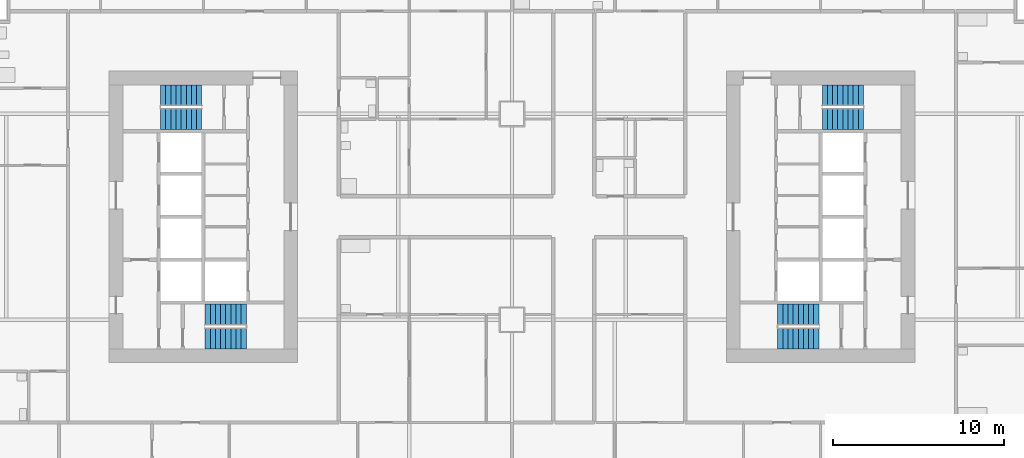
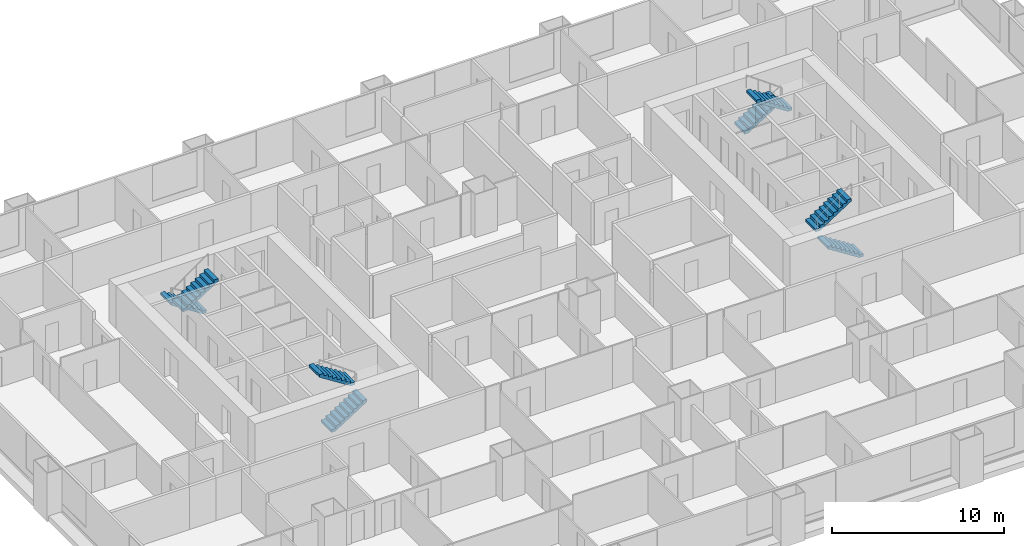
# One storey, part 11 of 13: 8 stair flights, 4 elements without a shape of their own.
"""IFC4 building model written with IfcOpenShell, lengths in metres."""

import ifcopenshell
import ifcopenshell.guid

model = None  # the IFC model being written
_history = None  # IfcOwnerHistory: only IFC2X3 demands one
_inside = {}  # id of a spatial element -> (the spatial element, [elements in it])
_under = {}  # id of a project, library or spatial element -> (it, [spatial elements below it])
_declared = {}  # id of a project -> (the project, [libraries it declares])
_typed = {}  # id of a type object -> (the type object, [elements of that type])
_made_of = {}  # id of a material, layer set ... -> (it, [elements and type objects made of it])


def new_model(schema):
    """Start an empty IFC model of exactly this schema.

    Asked for "IFC4X3", IfcOpenShell would pick the latest addendum, in which some entities
    have other attributes; the version numbers below select the first issue.
    IFC2X3 requires an IfcOwnerHistory on every rooted entity: one is made here for all.
    """
    global model, _history
    if schema == "IFC4X3":
        model = ifcopenshell.file(schema_version=(4, 3, 0, 0))
    else:
        model = ifcopenshell.file(schema=schema)
    _inside.clear()
    _under.clear()
    _declared.clear()
    _typed.clear()
    _made_of.clear()
    _history = None
    if model.schema == "IFC2X3":
        org = make("IfcOrganization", Name="unknown")
        user = make(
            "IfcPersonAndOrganization",
            ThePerson=make("IfcPerson", FamilyName="unknown"),
            TheOrganization=org,
        )
        app = make(
            "IfcApplication",
            ApplicationDeveloper=org,
            Version="unknown",
            ApplicationFullName="unknown",
            ApplicationIdentifier="unknown",
        )
        _history = make(
            "IfcOwnerHistory",
            OwningUser=user,
            OwningApplication=app,
            ChangeAction="ADDED",
            CreationDate=0,
        )
    return model


def make(cls, **values):
    """One entity of the class cls with the attributes given. An attribute that is None is left unset."""
    return model.create_entity(
        cls, **{name: value for name, value in values.items() if value is not None}
    )


def rooted(cls, **values):
    """An entity with a GlobalId (a new one), such as an element, a storey or a relation."""
    return make(cls, GlobalId=ifcopenshell.guid.new(), OwnerHistory=_history, **values)


def si_unit(unit_type, name, prefix=None):
    """IfcSIUnit, for example si_unit("LENGTHUNIT", "METRE", prefix="MILLI")."""
    return make("IfcSIUnit", UnitType=unit_type, Prefix=prefix, Name=name)


def assignment(units):
    """IfcUnitAssignment: the units of a project."""
    return None if units is None else make("IfcUnitAssignment", Units=units)


def point(xyz):
    """IfcCartesianPoint."""
    return None if xyz is None else make("IfcCartesianPoint", Coordinates=xyz)


def direction(xyz):
    """IfcDirection."""
    return None if xyz is None else make("IfcDirection", DirectionRatios=xyz)


def frame(location, z_axis=None, x_axis=None):
    """IfcAxis2Placement3D, a coordinate frame: its origin and axes. An axis left out is left unset."""
    return make(
        "IfcAxis2Placement3D",
        Location=point(location),
        Axis=direction(z_axis),
        RefDirection=direction(x_axis),
    )


def origin():
    """The frame at (0, 0, 0) with its axes left unset."""
    return frame((0.0, 0.0, 0.0))


def place(relative_to, where):
    """IfcLocalPlacement: puts the frame where relative to a parent placement (None: the world)."""
    return make(
        "IfcLocalPlacement", PlacementRelTo=relative_to, RelativePlacement=where
    )


def context(
    kind, dimensions, precision=None, world=None, true_north=None, identifier=None
):
    """IfcGeometricRepresentationContext, for example the 3D "Model" context."""
    return make(
        "IfcGeometricRepresentationContext",
        ContextIdentifier=identifier,
        ContextType=kind,
        CoordinateSpaceDimension=dimensions,
        Precision=precision,
        WorldCoordinateSystem=world,
        TrueNorth=true_north,
    )


def subcontext(parent, identifier, kind, view, scale=None):
    """IfcGeometricRepresentationSubContext, for example "Body" below "Model"."""
    return make(
        "IfcGeometricRepresentationSubContext",
        ContextIdentifier=identifier,
        ContextType=kind,
        ParentContext=parent,
        TargetScale=scale,
        TargetView=view,
    )


def project(units=None, contexts=None):
    """IfcProject with its units and contexts."""
    return rooted(
        "IfcProject",
        Name="project",
        RepresentationContexts=contexts,
        UnitsInContext=assignment(units),
    )


def spatial(cls, under=None, at=None, **own):
    """A site, building, storey or space (cls), placed at a placement, below another one or the project."""
    s = rooted(cls, ObjectPlacement=at, **own)
    if under is not None:
        _under.setdefault(under.id(), (under, []))[1].append(s)
    return s


def polyline(points):
    """IfcPolyline through the points."""
    return make("IfcPolyline", Points=[point(p) for p in points])


def outline(outer, holes=None, kind="AREA"):
    """IfcArbitraryClosedProfileDef: a profile drawn as a closed curve; with holes, ...WithVoids."""
    if holes is None:
        return make("IfcArbitraryClosedProfileDef", ProfileType=kind, OuterCurve=outer)
    return make(
        "IfcArbitraryProfileDefWithVoids",
        ProfileType=kind,
        OuterCurve=outer,
        InnerCurves=holes,
    )


def extrude(swept, where, along, depth):
    """IfcExtrudedAreaSolid: the profile swept, set in the frame where, extruded along a direction by depth."""
    return make(
        "IfcExtrudedAreaSolid",
        SweptArea=swept,
        Position=where,
        ExtrudedDirection=direction(along),
        Depth=depth,
    )


def shape(context_of_items, identifier, shape_type, items):
    """IfcShapeRepresentation: the items that make up one representation, for example the "Body"."""
    return make(
        "IfcShapeRepresentation",
        ContextOfItems=context_of_items,
        RepresentationIdentifier=identifier,
        RepresentationType=shape_type,
        Items=items,
    )


def material(Name=None, Category=None):
    """IfcMaterial."""
    return make("IfcMaterial", Name=Name, Category=Category)


def made_of(thing, what):
    """Note that an element or type object is made of a material, layer set ...; save() writes the relation."""
    if what is not None:
        _made_of.setdefault(what.id(), (what, []))[1].append(thing)
    return thing


def type_object(cls, material=None, **own):
    """A type object (cls), such as IfcWallType, which elements share."""
    return made_of(rooted(cls, **own), material)


def element(
    cls,
    number,
    at=None,
    inside=None,
    cuts=None,
    type_object=None,
    material=None,
    context=None,
    identifier="Body",
    shape_type=None,
    held_by="IfcProductDefinitionShape",
    body=None,
    shapes=None,
    **own,
):
    """One element of the class cls, such as IfcWall. Its Tag is "e" and its number.

    at: its placement. inside: the storey or other place that contains it. cuts: it is an
    opening in that element (IfcRelVoidsElement). A single representation is given by context,
    identifier, shape_type and body (its items); several are given by shapes. held_by: the class
    of the entity that holds the representations. save() writes the other relations.
    """
    e = rooted(cls, Tag="e%d" % number, ObjectPlacement=at, **own)
    if body is not None:
        shapes = [shape(context, identifier, shape_type, body)]
    if shapes is not None:
        e.Representation = make(held_by, Representations=shapes)
    if inside is not None:
        _inside.setdefault(inside.id(), (inside, []))[1].append(e)
    if cuts is not None:
        rooted(
            "IfcRelVoidsElement", RelatingBuildingElement=cuts, RelatedOpeningElement=e
        )
    if type_object is not None:
        _typed.setdefault(type_object.id(), (type_object, []))[1].append(e)
    return made_of(e, material)


def aggregate(whole, parts):
    """IfcRelAggregates: a whole, such as a stair, and the parts it consists of."""
    return rooted("IfcRelAggregates", RelatingObject=whole, RelatedObjects=parts)


def save(model, path):
    """Write the relations noted so far, then the file.

    IfcRelAggregates (storeys below a building ...), IfcRelContainedInSpatialStructure (elements
    in a storey), IfcRelDefinesByType, IfcRelAssociatesMaterial and IfcRelDeclares: one each for
    every whole, place, type object, material and project.
    """
    for whole, parts in _under.values():
        aggregate(whole, parts)
    for where, things in _inside.values():
        rooted(
            "IfcRelContainedInSpatialStructure",
            RelatedElements=things,
            RelatingStructure=where,
        )
    for kind, things in _typed.values():
        rooted("IfcRelDefinesByType", RelatedObjects=things, RelatingType=kind)
    for what, things in _made_of.values():
        rooted("IfcRelAssociatesMaterial", RelatedObjects=things, RelatingMaterial=what)
    for by, libraries in _declared.values():
        rooted("IfcRelDeclares", RelatingContext=by, RelatedDefinitions=libraries)
    model.write(path)


model = new_model("IFC4")

# Units and contexts
model_context = context("Model", 3, precision=1e-05, world=origin(), true_north=direction((0.0, 1.0)))
body_context = subcontext(model_context, "Body", "Model", "MODEL_VIEW")
ifc_project = project(units=[si_unit("LENGTHUNIT", "METRE"), si_unit("AREAUNIT", "SQUARE_METRE"), si_unit("VOLUMEUNIT", "CUBIC_METRE"), si_unit("PLANEANGLEUNIT", "RADIAN"), si_unit("MASSUNIT", "GRAM", prefix="KILO")], contexts=[model_context])

# Site, building, storey
site_placement = place(None, origin())
site = spatial("IfcSite", under=ifc_project, at=site_placement, CompositionType="ELEMENT")
building_placement = place(site_placement, origin())
building = spatial("IfcBuilding", under=site, at=building_placement, Name="Kitamizu Gate Tower and Museum", CompositionType="ELEMENT")
storey_placement = place(building_placement, frame((0.0, 0.0, 81.75)))
storey = spatial("IfcBuildingStorey", under=building, at=storey_placement, Name="L20", CompositionType="ELEMENT", Elevation=81.75)

# Stair, stair flights
ifc_material_1 = material(Name="Concrete Fc42", Category="concrete")
stair_type = type_object("IfcStairType", Name="Exit stair 1200 wide 192 rise 300 going", PredefinedType="HALF_TURN_STAIR", material=ifc_material_1)
stair_1_placement = place(storey_placement, origin())
stair_1 = element("IfcStair", 1, at=stair_1_placement, inside=storey, type_object=stair_type, Name="Exit stair ST1", PredefinedType="HALF_TURN_STAIR")
ifc_material_2 = material(Name="Concrete Fc42", Category="concrete")
stair_flight_type = type_object("IfcStairFlightType", Name="Stair flight 1200 wide 192 rise 300 going", PredefinedType="STRAIGHT", material=ifc_material_2)
stair_flight_1_placement = place(storey_placement, frame((18.10009765625, 22.89990234375, 0.0), z_axis=(0.0, 0.0, 1.0), x_axis=(1.0, 0.0, 0.0)))
stair_flight_1 = element("IfcStairFlight", 2, at=stair_flight_1_placement, type_object=stair_flight_type, Name="ST1 flight 1", NumberOfRisers=9, NumberOfTreads=8, PredefinedType="STRAIGHT", RiserHeight=0.191666667, TreadLength=0.3, context=body_context, shape_type="SweptSolid", body=[
    extrude(outline(polyline([(0.0, 0.0), (0.0, 0.191650390625), (0.300048828125, 0.191650390625), (0.300048828125, 0.38330078125), (0.60009765625, 0.38330078125), (0.60009765625, 0.574951171875), (0.89990234375, 0.574951171875), (0.89990234375, 0.7666015625), (1.199951171875, 0.7666015625), (1.199951171875, 0.958251953125), (1.5, 0.958251953125), (1.5, 1.14990234375), (1.800048828125, 1.14990234375), (1.800048828125, 1.341552734375), (2.10009765625, 1.341552734375), (2.10009765625, 1.533447265625), (2.39990234375, 1.533447265625), (2.39990234375, 1.72509765625), (2.39990234375, 1.35546875), (0.2783203125, 0.0), (0.0, 0.0)])), frame((0.0, 0.60009765625, 0.0), z_axis=(0.0, -1.0, 0.0), x_axis=(1.0, 0.0, 0.0)), (0.0, 0.0, 1.0), 1.199951171875),
])
stair_flight_2_placement = place(storey_placement, frame((20.5, 24.300048828125, 1.72509765625), z_axis=(0.0, 0.0, 1.0), x_axis=(-1.0, 0.0, 0.0)))
stair_flight_2 = element("IfcStairFlight", 3, at=stair_flight_2_placement, type_object=stair_flight_type, Name="ST1 flight 2", NumberOfRisers=9, NumberOfTreads=8, PredefinedType="STRAIGHT", RiserHeight=0.191666667, TreadLength=0.3, context=body_context, shape_type="SweptSolid", body=[
    extrude(outline(polyline([(0.0, 0.0), (0.0, 0.191650390625), (0.300048828125, 0.191650390625), (0.300048828125, 0.38330078125), (0.60009765625, 0.38330078125), (0.60009765625, 0.574951171875), (0.89990234375, 0.574951171875), (0.89990234375, 0.7666015625), (1.199951171875, 0.7666015625), (1.199951171875, 0.958251953125), (1.5, 0.958251953125), (1.5, 1.14990234375), (1.800048828125, 1.14990234375), (1.800048828125, 1.341552734375), (2.10009765625, 1.341552734375), (2.10009765625, 1.533447265625), (2.39990234375, 1.533447265625), (2.39990234375, 1.72509765625), (2.39990234375, 1.35546875), (0.2783203125, 0.0), (0.0, 0.0)])), frame((0.0, 0.60009765625, 0.0), z_axis=(0.0, -1.0, 0.0), x_axis=(1.0, 0.0, 0.0)), (0.0, 0.0, 1.0), 1.199951171875),
])
aggregate(stair_1, [stair_flight_1, stair_flight_2])

stair_2_placement = place(storey_placement, origin())
stair_2 = element("IfcStair", 4, at=stair_2_placement, inside=storey, type_object=stair_type, Name="Exit stair ST2", PredefinedType="HALF_TURN_STAIR")
stair_flight_3_placement = place(storey_placement, frame((17.89990234375, 37.10009765625, 0.0), z_axis=(0.0, 0.0, 1.0), x_axis=(-1.0, 0.0, 0.0)))
stair_flight_3 = element("IfcStairFlight", 5, at=stair_flight_3_placement, type_object=stair_flight_type, Name="ST2 flight 1", NumberOfRisers=9, NumberOfTreads=8, PredefinedType="STRAIGHT", RiserHeight=0.191666667, TreadLength=0.3, context=body_context, shape_type="SweptSolid", body=[
    extrude(outline(polyline([(0.0, 0.0), (0.0, 0.191650390625), (0.300048828125, 0.191650390625), (0.300048828125, 0.38330078125), (0.60009765625, 0.38330078125), (0.60009765625, 0.574951171875), (0.89990234375, 0.574951171875), (0.89990234375, 0.7666015625), (1.199951171875, 0.7666015625), (1.199951171875, 0.958251953125), (1.5, 0.958251953125), (1.5, 1.14990234375), (1.800048828125, 1.14990234375), (1.800048828125, 1.341552734375), (2.10009765625, 1.341552734375), (2.10009765625, 1.533447265625), (2.39990234375, 1.533447265625), (2.39990234375, 1.72509765625), (2.39990234375, 1.35546875), (0.2783203125, 0.0), (0.0, 0.0)])), frame((0.0, 0.60009765625, 0.0), z_axis=(0.0, -1.0, 0.0), x_axis=(1.0, 0.0, 0.0)), (0.0, 0.0, 1.0), 1.199951171875),
])
stair_flight_4_placement = place(storey_placement, frame((15.5, 35.699951171875, 1.72509765625), z_axis=(0.0, 0.0, 1.0), x_axis=(1.0, 0.0, 0.0)))
stair_flight_4 = element("IfcStairFlight", 6, at=stair_flight_4_placement, type_object=stair_flight_type, Name="ST2 flight 2", NumberOfRisers=9, NumberOfTreads=8, PredefinedType="STRAIGHT", RiserHeight=0.191666667, TreadLength=0.3, context=body_context, shape_type="SweptSolid", body=[
    extrude(outline(polyline([(0.0, 0.0), (0.0, 0.191650390625), (0.300048828125, 0.191650390625), (0.300048828125, 0.38330078125), (0.60009765625, 0.38330078125), (0.60009765625, 0.574951171875), (0.89990234375, 0.574951171875), (0.89990234375, 0.7666015625), (1.199951171875, 0.7666015625), (1.199951171875, 0.958251953125), (1.5, 0.958251953125), (1.5, 1.14990234375), (1.800048828125, 1.14990234375), (1.800048828125, 1.341552734375), (2.10009765625, 1.341552734375), (2.10009765625, 1.533447265625), (2.39990234375, 1.533447265625), (2.39990234375, 1.72509765625), (2.39990234375, 1.35546875), (0.2783203125, 0.0), (0.0, 0.0)])), frame((0.0, 0.60009765625, 0.0), z_axis=(0.0, -1.0, 0.0), x_axis=(1.0, 0.0, 0.0)), (0.0, 0.0, 1.0), 1.199951171875),
])
aggregate(stair_2, [stair_flight_3, stair_flight_4])

stair_3_placement = place(storey_placement, origin())
stair_3 = element("IfcStair", 7, at=stair_3_placement, inside=storey, type_object=stair_type, Name="Exit stair ST3", PredefinedType="HALF_TURN_STAIR")
stair_flight_5_placement = place(storey_placement, frame((53.89990234375, 22.89990234375, 0.0), z_axis=(0.0, 0.0, 1.0), x_axis=(-1.0, 0.0, 0.0)))
stair_flight_5 = element("IfcStairFlight", 8, at=stair_flight_5_placement, type_object=stair_flight_type, Name="ST3 flight 1", NumberOfRisers=9, NumberOfTreads=8, PredefinedType="STRAIGHT", RiserHeight=0.191666667, TreadLength=0.3, context=body_context, shape_type="SweptSolid", body=[
    extrude(outline(polyline([(0.0, 0.0), (0.0, 0.191650390625), (0.300048828125, 0.191650390625), (0.300048828125, 0.38330078125), (0.60009765625, 0.38330078125), (0.60009765625, 0.574951171875), (0.89990234375, 0.574951171875), (0.89990234375, 0.7666015625), (1.199951171875, 0.7666015625), (1.199951171875, 0.958251953125), (1.5, 0.958251953125), (1.5, 1.14990234375), (1.800048828125, 1.14990234375), (1.800048828125, 1.341552734375), (2.10009765625, 1.341552734375), (2.10009765625, 1.533447265625), (2.39990234375, 1.533447265625), (2.39990234375, 1.72509765625), (2.39990234375, 1.35546875), (0.2783203125, 0.0), (0.0, 0.0)])), frame((0.0, 0.60009765625, 0.0), z_axis=(0.0, -1.0, 0.0), x_axis=(1.0, 0.0, 0.0)), (0.0, 0.0, 1.0), 1.199951171875),
])
stair_flight_6_placement = place(storey_placement, frame((51.5, 24.300048828125, 1.72509765625), z_axis=(0.0, 0.0, 1.0), x_axis=(1.0, 0.0, 0.0)))
stair_flight_6 = element("IfcStairFlight", 9, at=stair_flight_6_placement, type_object=stair_flight_type, Name="ST3 flight 2", NumberOfRisers=9, NumberOfTreads=8, PredefinedType="STRAIGHT", RiserHeight=0.191666667, TreadLength=0.3, context=body_context, shape_type="SweptSolid", body=[
    extrude(outline(polyline([(0.0, 0.0), (0.0, 0.191650390625), (0.300048828125, 0.191650390625), (0.300048828125, 0.38330078125), (0.60009765625, 0.38330078125), (0.60009765625, 0.574951171875), (0.89990234375, 0.574951171875), (0.89990234375, 0.7666015625), (1.199951171875, 0.7666015625), (1.199951171875, 0.958251953125), (1.5, 0.958251953125), (1.5, 1.14990234375), (1.800048828125, 1.14990234375), (1.800048828125, 1.341552734375), (2.10009765625, 1.341552734375), (2.10009765625, 1.533447265625), (2.39990234375, 1.533447265625), (2.39990234375, 1.72509765625), (2.39990234375, 1.35546875), (0.2783203125, 0.0), (0.0, 0.0)])), frame((0.0, 0.60009765625, 0.0), z_axis=(0.0, -1.0, 0.0), x_axis=(1.0, 0.0, 0.0)), (0.0, 0.0, 1.0), 1.199951171875),
])
aggregate(stair_3, [stair_flight_5, stair_flight_6])

stair_4_placement = place(storey_placement, origin())
stair_4 = element("IfcStair", 10, at=stair_4_placement, inside=storey, type_object=stair_type, Name="Exit stair ST4", PredefinedType="HALF_TURN_STAIR")
stair_flight_7_placement = place(storey_placement, frame((54.10009765625, 37.10009765625, 0.0), z_axis=(0.0, 0.0, 1.0), x_axis=(1.0, 0.0, 0.0)))
stair_flight_7 = element("IfcStairFlight", 11, at=stair_flight_7_placement, type_object=stair_flight_type, Name="ST4 flight 1", NumberOfRisers=9, NumberOfTreads=8, PredefinedType="STRAIGHT", RiserHeight=0.191666667, TreadLength=0.3, context=body_context, shape_type="SweptSolid", body=[
    extrude(outline(polyline([(0.0, 0.0), (0.0, 0.191650390625), (0.300048828125, 0.191650390625), (0.300048828125, 0.38330078125), (0.60009765625, 0.38330078125), (0.60009765625, 0.574951171875), (0.89990234375, 0.574951171875), (0.89990234375, 0.7666015625), (1.199951171875, 0.7666015625), (1.199951171875, 0.958251953125), (1.5, 0.958251953125), (1.5, 1.14990234375), (1.800048828125, 1.14990234375), (1.800048828125, 1.341552734375), (2.10009765625, 1.341552734375), (2.10009765625, 1.533447265625), (2.39990234375, 1.533447265625), (2.39990234375, 1.72509765625), (2.39990234375, 1.35546875), (0.2783203125, 0.0), (0.0, 0.0)])), frame((0.0, 0.60009765625, 0.0), z_axis=(0.0, -1.0, 0.0), x_axis=(1.0, 0.0, 0.0)), (0.0, 0.0, 1.0), 1.199951171875),
])
stair_flight_8_placement = place(storey_placement, frame((56.5, 35.699951171875, 1.72509765625), z_axis=(0.0, 0.0, 1.0), x_axis=(-1.0, 0.0, 0.0)))
stair_flight_8 = element("IfcStairFlight", 12, at=stair_flight_8_placement, type_object=stair_flight_type, Name="ST4 flight 2", NumberOfRisers=9, NumberOfTreads=8, PredefinedType="STRAIGHT", RiserHeight=0.191666667, TreadLength=0.3, context=body_context, shape_type="SweptSolid", body=[
    extrude(outline(polyline([(0.0, 0.0), (0.0, 0.191650390625), (0.300048828125, 0.191650390625), (0.300048828125, 0.38330078125), (0.60009765625, 0.38330078125), (0.60009765625, 0.574951171875), (0.89990234375, 0.574951171875), (0.89990234375, 0.7666015625), (1.199951171875, 0.7666015625), (1.199951171875, 0.958251953125), (1.5, 0.958251953125), (1.5, 1.14990234375), (1.800048828125, 1.14990234375), (1.800048828125, 1.341552734375), (2.10009765625, 1.341552734375), (2.10009765625, 1.533447265625), (2.39990234375, 1.533447265625), (2.39990234375, 1.72509765625), (2.39990234375, 1.35546875), (0.2783203125, 0.0), (0.0, 0.0)])), frame((0.0, 0.60009765625, 0.0), z_axis=(0.0, -1.0, 0.0), x_axis=(1.0, 0.0, 0.0)), (0.0, 0.0, 1.0), 1.199951171875),
])
aggregate(stair_4, [stair_flight_7, stair_flight_8])

save(model, "model.ifc")
